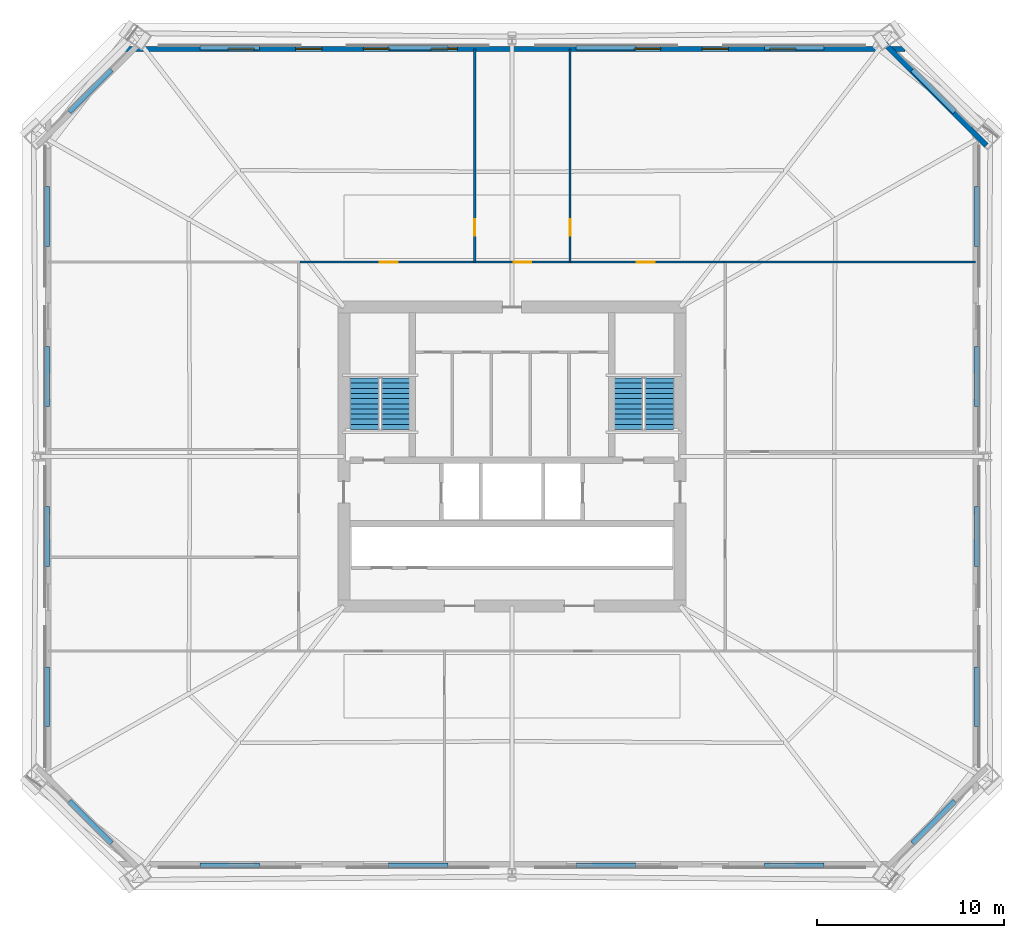
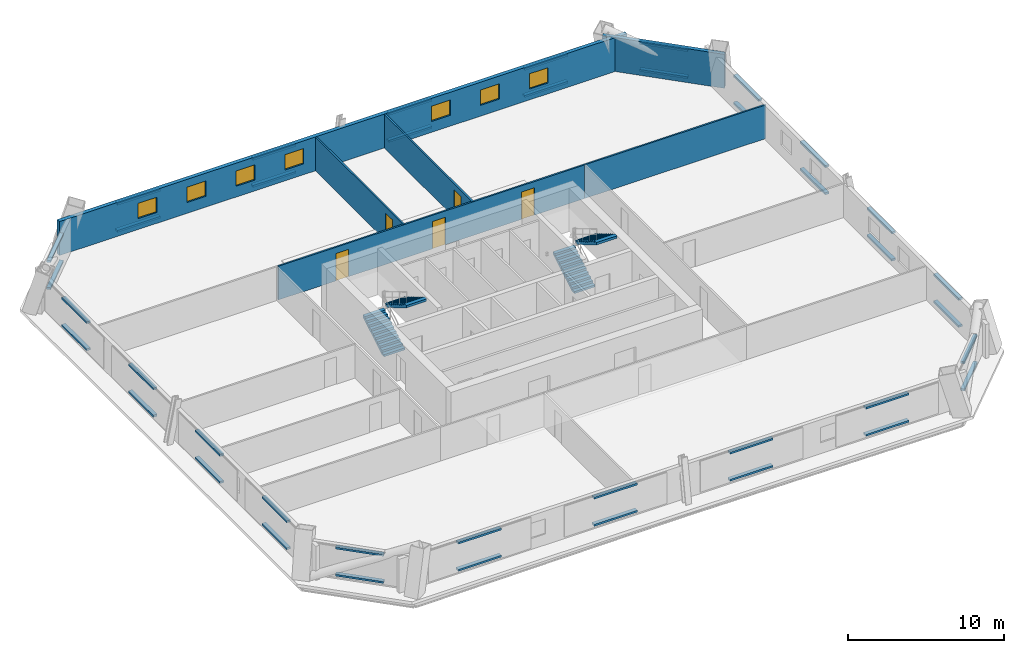
# One storey, part 7 of 10: 40 discrete accessories, 7 windows, 6 walls, 5 doors, 4 stair flights, 12 openings, 2 elements without a shape of their own.
"""IFC4 building model written with IfcOpenShell, lengths in metres."""

from ifc_helpers import new_model, si_unit, direction, frame, frame_2d, origin, origin_2d, place, context, subcontext, project, spatial, polyline, rectangle, outline, extrude, material, layer, layer_set, type_object, element, fill, aggregate, save


model = new_model("IFC4")

# Units and contexts
model_context = context("Model", 3, precision=1e-05, world=origin(), true_north=direction((0.0, 1.0)))
body_context = subcontext(model_context, "Body", "Model", "MODEL_VIEW")
ifc_project = project(units=[si_unit("LENGTHUNIT", "METRE"), si_unit("AREAUNIT", "SQUARE_METRE"), si_unit("VOLUMEUNIT", "CUBIC_METRE"), si_unit("PLANEANGLEUNIT", "RADIAN"), si_unit("MASSUNIT", "GRAM", prefix="KILO")], contexts=[model_context])

# Site, building, storey
site_placement = place(None, origin())
site = spatial("IfcSite", under=ifc_project, at=site_placement, CompositionType="ELEMENT")
building_placement = place(site_placement, origin())
building = spatial("IfcBuilding", under=site, at=building_placement, Name="Caelvoria Tower", CompositionType="ELEMENT")
storey_placement = place(building_placement, frame((0.0, 0.0, 78.39990234375)))
storey = spatial("IfcBuildingStorey", under=building, at=storey_placement, Name="L20", CompositionType="ELEMENT", Elevation=78.39990234375)

# Wall
ifc_material_1 = material(Name="Precast Concrete C40/50 with Bronze Cladding", Category="concrete")
ifc_layer_1 = layer(ifc_material_1, 0.280029296875, Name="Precast Concrete C40/50 with Bronze Cladding")
ifc_layer_set_1 = layer_set([ifc_layer_1], Name="Exterior Precast Concrete C40/50 Bronze-Clad Facade Wall 280 - Precast Concrete C40/50 with Bronze Cladding")
wall_type_1 = type_object("IfcWallType", Name="Exterior Precast Concrete C40/50 Bronze-Clad Facade Wall 280", PredefinedType="STANDARD", material=ifc_layer_set_1)
wall_1_placement = place(storey_placement, frame((71.393798828125, 48.654541015625, 0.0), z_axis=(0.0, 0.0, 1.0), x_axis=(-0.707106781187, 0.707106781187, 0.0)))
element("IfcWall", 1, at=wall_1_placement, inside=storey, type_object=wall_type_1, Name="Exterior Facade Wall L20-E3", PredefinedType="STANDARD", context=body_context, shape_type="SweptSolid", body=[
    extrude(rectangle(XDim=8.116455078125, YDim=0.280029296875, at=frame_2d((4.05810546875, 0.0))), origin(), (0.0, 0.0, 1.0), 2.662109375),
])

# Wall, openings, windows
wall_2_placement = place(storey_placement, frame((67.0400390625, 53.820068359375, 0.0), z_axis=(0.0, 0.0, 1.0), x_axis=(-1.0, 0.0, 0.0)))
wall_2 = element("IfcWall", 2, at=wall_2_placement, inside=storey, type_object=wall_type_1, Name="Exterior Facade Wall L20-E4", PredefinedType="STANDARD", context=body_context, shape_type="SweptSolid", body=[
    extrude(rectangle(XDim=42.080078125, YDim=0.280029296875, at=frame_2d((21.0400390625, 0.0))), origin(), (0.0, 0.0, 1.0), 2.662109375),
])
opening_1_placement = place(wall_2_placement, frame((5.838134765625, 0.0, 0.85009765625)))
opening_1 = element("IfcOpeningElement", 3, at=opening_1_placement, cuts=wall_2, Name="Opening WN-06", PredefinedType="OPENING", context=body_context, shape_type="SweptSolid", body=[
    extrude(rectangle(XDim=1.39990234375, YDim=1.199951171875, at=frame_2d((0.699951171875, 0.60009765625))), frame((0.0, 0.14990234375, 0.0), z_axis=(0.0, -1.0, 0.0), x_axis=(1.0, 0.0, 0.0)), (0.0, 0.0, 1.0), 0.300048828125),
])
opening_2_placement = place(wall_2_placement, frame((9.463623046875, 0.0, 0.85009765625)))
opening_2 = element("IfcOpeningElement", 4, at=opening_2_placement, cuts=wall_2, Name="Opening WN-06", PredefinedType="OPENING", context=body_context, shape_type="SweptSolid", body=[
    extrude(rectangle(XDim=1.39990234375, YDim=1.199951171875, at=frame_2d((0.699951171875, 0.60009765625))), frame((0.0, 0.14990234375, 0.0), z_axis=(0.0, -1.0, 0.0), x_axis=(1.0, 0.0, 0.0)), (0.0, 0.0, 1.0), 0.300048828125),
])
opening_3_placement = place(wall_2_placement, frame((13.089111328125, 0.0, 0.85009765625)))
opening_3 = element("IfcOpeningElement", 5, at=opening_3_placement, cuts=wall_2, Name="Opening WN-06", PredefinedType="OPENING", context=body_context, shape_type="SweptSolid", body=[
    extrude(rectangle(XDim=1.39990234375, YDim=1.199951171875, at=frame_2d((0.699951171875, 0.60009765625))), frame((0.0, 0.14990234375, 0.0), z_axis=(0.0, -1.0, 0.0), x_axis=(1.0, 0.0, 0.0)), (0.0, 0.0, 1.0), 0.300048828125),
])
opening_4_placement = place(wall_2_placement, frame((23.965576171875, 0.0, 0.85009765625)))
opening_4 = element("IfcOpeningElement", 6, at=opening_4_placement, cuts=wall_2, Name="Opening WN-06", PredefinedType="OPENING", context=body_context, shape_type="SweptSolid", body=[
    extrude(rectangle(XDim=1.39990234375, YDim=1.199951171875, at=frame_2d((0.699951171875, 0.60009765625))), frame((0.0, 0.14990234375, 0.0), z_axis=(0.0, -1.0, 0.0), x_axis=(1.0, 0.0, 0.0)), (0.0, 0.0, 1.0), 0.300048828125),
])
opening_5_placement = place(wall_2_placement, frame((27.5908203125, 0.0, 0.85009765625)))
opening_5 = element("IfcOpeningElement", 7, at=opening_5_placement, cuts=wall_2, Name="Opening WN-06", PredefinedType="OPENING", context=body_context, shape_type="SweptSolid", body=[
    extrude(rectangle(XDim=1.39990234375, YDim=1.199951171875, at=frame_2d((0.699951171875, 0.60009765625))), frame((0.0, 0.14990234375, 0.0), z_axis=(0.0, -1.0, 0.0), x_axis=(1.0, 0.0, 0.0)), (0.0, 0.0, 1.0), 0.300048828125),
])
opening_6_placement = place(wall_2_placement, frame((31.21630859375, 0.0, 0.85009765625)))
opening_6 = element("IfcOpeningElement", 8, at=opening_6_placement, cuts=wall_2, Name="Opening WN-06", PredefinedType="OPENING", context=body_context, shape_type="SweptSolid", body=[
    extrude(rectangle(XDim=1.39990234375, YDim=1.199951171875, at=frame_2d((0.699951171875, 0.60009765625))), frame((0.0, 0.14990234375, 0.0), z_axis=(0.0, -1.0, 0.0), x_axis=(1.0, 0.0, 0.0)), (0.0, 0.0, 1.0), 0.300048828125),
])
opening_7_placement = place(wall_2_placement, frame((34.841796875, 0.0, 0.85009765625)))
opening_7 = element("IfcOpeningElement", 9, at=opening_7_placement, cuts=wall_2, Name="Opening WN-06", PredefinedType="OPENING", context=body_context, shape_type="SweptSolid", body=[
    extrude(rectangle(XDim=1.39990234375, YDim=1.199951171875, at=frame_2d((0.699951171875, 0.60009765625))), frame((0.0, 0.14990234375, 0.0), z_axis=(0.0, -1.0, 0.0), x_axis=(1.0, 0.0, 0.0)), (0.0, 0.0, 1.0), 0.300048828125),
])
ifc_material_2 = material(Name="Low-E Tinted Glass in Bronze Aluminium Frame", Category="aluminium")
window_type = type_object("IfcWindowType", Name="Podium Clerestory Window 1400x1200", PartitioningType="SINGLE_PANEL", PredefinedType="WINDOW", material=ifc_material_2)
window_1_placement = place(opening_1_placement, origin())
window_1 = element("IfcWindow", 10, at=window_1_placement, inside=storey, type_object=window_type, Name="Facade Window L20-E4-01", OverallHeight=1.199951171875, OverallWidth=1.39990234375, PartitioningType="SINGLE_PANEL", PredefinedType="WINDOW", context=body_context, shape_type="SweptSolid", body=[
    extrude(rectangle(XDim=1.39990234375, YDim=1.199951171875, at=frame_2d((0.699951171875, 0.60009765625))), frame((0.0, 0.030029296875, 0.0), z_axis=(0.0, -1.0, 0.0), x_axis=(1.0, 0.0, 0.0)), (0.0, 0.0, 1.0), 0.06005859375),
])
fill(opening_1, window_1)
window_2_placement = place(opening_2_placement, origin())
window_2 = element("IfcWindow", 11, at=window_2_placement, inside=storey, type_object=window_type, Name="Facade Window L20-E4-02", OverallHeight=1.199951171875, OverallWidth=1.39990234375, PartitioningType="SINGLE_PANEL", PredefinedType="WINDOW", context=body_context, shape_type="SweptSolid", body=[
    extrude(rectangle(XDim=1.39990234375, YDim=1.199951171875, at=frame_2d((0.699951171875, 0.60009765625))), frame((0.0, 0.030029296875, 0.0), z_axis=(0.0, -1.0, 0.0), x_axis=(1.0, 0.0, 0.0)), (0.0, 0.0, 1.0), 0.06005859375),
])
fill(opening_2, window_2)
window_3_placement = place(opening_3_placement, origin())
window_3 = element("IfcWindow", 12, at=window_3_placement, inside=storey, type_object=window_type, Name="Facade Window L20-E4-03", OverallHeight=1.199951171875, OverallWidth=1.39990234375, PartitioningType="SINGLE_PANEL", PredefinedType="WINDOW", context=body_context, shape_type="SweptSolid", body=[
    extrude(rectangle(XDim=1.39990234375, YDim=1.199951171875, at=frame_2d((0.699951171875, 0.60009765625))), frame((0.0, 0.030029296875, 0.0), z_axis=(0.0, -1.0, 0.0), x_axis=(1.0, 0.0, 0.0)), (0.0, 0.0, 1.0), 0.06005859375),
])
fill(opening_3, window_3)
window_4_placement = place(opening_4_placement, origin())
window_4 = element("IfcWindow", 13, at=window_4_placement, inside=storey, type_object=window_type, Name="Facade Window L20-E4-06", OverallHeight=1.199951171875, OverallWidth=1.39990234375, PartitioningType="SINGLE_PANEL", PredefinedType="WINDOW", context=body_context, shape_type="SweptSolid", body=[
    extrude(rectangle(XDim=1.39990234375, YDim=1.199951171875, at=frame_2d((0.699951171875, 0.60009765625))), frame((0.0, 0.030029296875, 0.0), z_axis=(0.0, -1.0, 0.0), x_axis=(1.0, 0.0, 0.0)), (0.0, 0.0, 1.0), 0.06005859375),
])
fill(opening_4, window_4)
window_5_placement = place(opening_5_placement, origin())
window_5 = element("IfcWindow", 14, at=window_5_placement, inside=storey, type_object=window_type, Name="Facade Window L20-E4-07", OverallHeight=1.199951171875, OverallWidth=1.39990234375, PartitioningType="SINGLE_PANEL", PredefinedType="WINDOW", context=body_context, shape_type="SweptSolid", body=[
    extrude(rectangle(XDim=1.39990234375, YDim=1.199951171875, at=frame_2d((0.699951171875, 0.60009765625))), frame((0.0, 0.030029296875, 0.0), z_axis=(0.0, -1.0, 0.0), x_axis=(1.0, 0.0, 0.0)), (0.0, 0.0, 1.0), 0.06005859375),
])
fill(opening_5, window_5)
window_6_placement = place(opening_6_placement, origin())
window_6 = element("IfcWindow", 15, at=window_6_placement, inside=storey, type_object=window_type, Name="Facade Window L20-E4-08", OverallHeight=1.199951171875, OverallWidth=1.39990234375, PartitioningType="SINGLE_PANEL", PredefinedType="WINDOW", context=body_context, shape_type="SweptSolid", body=[
    extrude(rectangle(XDim=1.39990234375, YDim=1.199951171875, at=frame_2d((0.699951171875, 0.60009765625))), frame((0.0, 0.030029296875, 0.0), z_axis=(0.0, -1.0, 0.0), x_axis=(1.0, 0.0, 0.0)), (0.0, 0.0, 1.0), 0.06005859375),
])
fill(opening_6, window_6)
window_7_placement = place(opening_7_placement, origin())
window_7 = element("IfcWindow", 16, at=window_7_placement, inside=storey, type_object=window_type, Name="Facade Window L20-E4-09", OverallHeight=1.199951171875, OverallWidth=1.39990234375, PartitioningType="SINGLE_PANEL", PredefinedType="WINDOW", context=body_context, shape_type="SweptSolid", body=[
    extrude(rectangle(XDim=1.39990234375, YDim=1.199951171875, at=frame_2d((0.699951171875, 0.60009765625))), frame((0.0, 0.030029296875, 0.0), z_axis=(0.0, -1.0, 0.0), x_axis=(1.0, 0.0, 0.0)), (0.0, 0.0, 1.0), 0.06005859375),
])
fill(opening_7, window_7)

# Wall, opening, door
ifc_material_3 = material(Name="Acoustic Gypsum Board on Light-Gauge Stud", Category="gypsum")
ifc_layer_2 = layer(ifc_material_3, 0.1201171875, Name="Acoustic Gypsum Board on Light-Gauge Stud")
ifc_layer_set_2 = layer_set([ifc_layer_2], Name="Tenant Suite Acoustic Partition Wall 120 - Acoustic Gypsum Board on Light-Gauge Stud")
wall_type_2 = type_object("IfcWallType", Name="Tenant Suite Acoustic Partition Wall 120", PredefinedType="PARTITIONING", material=ifc_layer_set_2)
wall_3_placement = place(storey_placement, frame((44.004150390625, 42.409912109375, 0.0), z_axis=(0.0, 0.0, 1.0), x_axis=(0.0, 1.0, 0.0)))
wall_3 = element("IfcWall", 17, at=wall_3_placement, inside=storey, type_object=wall_type_2, Name="Interior Partition IW-L20-ND-00-0", PredefinedType="PARTITIONING", context=body_context, shape_type="SweptSolid", body=[
    extrude(rectangle(XDim=11.41015625, YDim=0.1201171875, at=frame_2d((5.705078125, 0.0))), origin(), (0.0, 0.0, 1.0), 2.64013671875),
])
opening_8_placement = place(wall_3_placement, frame((1.39990234375, 0.0, 0.0)))
opening_8 = element("IfcOpeningElement", 18, at=opening_8_placement, cuts=wall_3, Name="Opening ID-06", PredefinedType="OPENING", context=body_context, shape_type="SweptSolid", body=[
    extrude(rectangle(XDim=0.89990234375, YDim=2.14990234375, at=frame_2d((0.449951171875, 1.074951171875))), frame((0.0, 0.070068359375, 0.0), z_axis=(0.0, -1.0, 0.0), x_axis=(1.0, 0.0, 0.0)), (0.0, 0.0, 1.0), 0.14013671875),
])
ifc_material_4 = material(Name="Engineered Andean Oak Veneer Door", Category="wood")
door_type_1 = type_object("IfcDoorType", Name="Interior Timber Door 900x2150", OperationType="NOTDEFINED", PredefinedType="DOOR", material=ifc_material_4)
door_1_placement = place(opening_8_placement, origin())
door_1 = element("IfcDoor", 19, at=door_1_placement, inside=storey, type_object=door_type_1, Name="Interior Door DR-L20-NM-00-0", OperationType="SINGLE_SWING_RIGHT", OverallHeight=2.14990234375, OverallWidth=0.89990234375, PredefinedType="DOOR", context=body_context, shape_type="SweptSolid", body=[
    extrude(rectangle(XDim=0.89990234375, YDim=2.14990234375, at=frame_2d((0.449951171875, 1.074951171875))), frame((0.0, 0.02490234375, 0.0), z_axis=(0.0, -1.0, 0.0), x_axis=(1.0, 0.0, 0.0)), (0.0, 0.0, 1.0), 0.050048828125),
])
fill(opening_8, door_1)

wall_4_placement = place(storey_placement, frame((49.109619140625, 42.409912109375, 0.0), z_axis=(0.0, 0.0, 1.0), x_axis=(0.0, 1.0, 0.0)))
wall_4 = element("IfcWall", 20, at=wall_4_placement, inside=storey, type_object=wall_type_2, Name="Interior Partition IW-L20-ND-01-0", PredefinedType="PARTITIONING", context=body_context, shape_type="SweptSolid", body=[
    extrude(rectangle(XDim=11.41015625, YDim=0.1201171875, at=frame_2d((5.705078125, 0.0))), origin(), (0.0, 0.0, 1.0), 2.64013671875),
])
opening_9_placement = place(wall_4_placement, frame((1.39990234375, 0.0, 0.0)))
opening_9 = element("IfcOpeningElement", 21, at=opening_9_placement, cuts=wall_4, Name="Opening ID-06", PredefinedType="OPENING", context=body_context, shape_type="SweptSolid", body=[
    extrude(rectangle(XDim=0.89990234375, YDim=2.14990234375, at=frame_2d((0.449951171875, 1.074951171875))), frame((0.0, 0.070068359375, 0.0), z_axis=(0.0, -1.0, 0.0), x_axis=(1.0, 0.0, 0.0)), (0.0, 0.0, 1.0), 0.14013671875),
])
door_2_placement = place(opening_9_placement, origin())
door_2 = element("IfcDoor", 22, at=door_2_placement, inside=storey, type_object=door_type_1, Name="Interior Door DR-L20-NM-01-0", OperationType="SINGLE_SWING_LEFT", OverallHeight=2.14990234375, OverallWidth=0.89990234375, PredefinedType="DOOR", context=body_context, shape_type="SweptSolid", body=[
    extrude(rectangle(XDim=0.89990234375, YDim=2.14990234375, at=frame_2d((0.449951171875, 1.074951171875))), frame((0.0, 0.02490234375, 0.0), z_axis=(0.0, -1.0, 0.0), x_axis=(1.0, 0.0, 0.0)), (0.0, 0.0, 1.0), 0.050048828125),
])
fill(opening_9, door_2)

# Wall, openings, doors
wall_5_placement = place(storey_placement, frame((34.64990234375, 42.409912109375, 0.0), z_axis=(0.0, 0.0, 1.0), x_axis=(1.0, 0.0, 0.0)))
wall_5 = element("IfcWall", 23, at=wall_5_placement, inside=storey, type_object=wall_type_2, Name="Interior Partition IW-L20-NCW-0", PredefinedType="PARTITIONING", context=body_context, shape_type="SweptSolid", body=[
    extrude(rectangle(XDim=22.7001953125, YDim=0.1201171875, at=frame_2d((11.35009765625, 0.0))), origin(), (0.0, 0.0, 1.0), 2.64013671875),
])
opening_10_placement = place(wall_5_placement, frame((4.27197265625, 0.0, 0.0)))
opening_10 = element("IfcOpeningElement", 24, at=opening_10_placement, cuts=wall_5, Name="Opening ID-05", PredefinedType="OPENING", context=body_context, shape_type="SweptSolid", body=[
    extrude(rectangle(XDim=0.949951171875, YDim=2.14990234375, at=frame_2d((0.47509765625, 1.074951171875))), frame((0.0, 0.070068359375, 0.0), z_axis=(0.0, -1.0, 0.0), x_axis=(1.0, 0.0, 0.0)), (0.0, 0.0, 1.0), 0.14013671875),
])
opening_11_placement = place(wall_5_placement, frame((11.431884765625, 0.0, 0.0)))
opening_11 = element("IfcOpeningElement", 25, at=opening_11_placement, cuts=wall_5, Name="Opening ID-05", PredefinedType="OPENING", context=body_context, shape_type="SweptSolid", body=[
    extrude(rectangle(XDim=0.949951171875, YDim=2.14990234375, at=frame_2d((0.47509765625, 1.074951171875))), frame((0.0, 0.070068359375, 0.0), z_axis=(0.0, -1.0, 0.0), x_axis=(1.0, 0.0, 0.0)), (0.0, 0.0, 1.0), 0.14013671875),
])
opening_12_placement = place(wall_5_placement, frame((18.034912109375, 0.0, 0.0)))
opening_12 = element("IfcOpeningElement", 26, at=opening_12_placement, cuts=wall_5, Name="Opening ID-05", PredefinedType="OPENING", context=body_context, shape_type="SweptSolid", body=[
    extrude(rectangle(XDim=0.949951171875, YDim=2.14990234375, at=frame_2d((0.47509765625, 1.074951171875))), frame((0.0, 0.070068359375, 0.0), z_axis=(0.0, -1.0, 0.0), x_axis=(1.0, 0.0, 0.0)), (0.0, 0.0, 1.0), 0.14013671875),
])
door_type_2 = type_object("IfcDoorType", Name="Interior Timber Door 950x2150", OperationType="NOTDEFINED", PredefinedType="DOOR", material=ifc_material_4)
door_3_placement = place(opening_10_placement, origin())
door_3 = element("IfcDoor", 27, at=door_3_placement, inside=storey, type_object=door_type_2, Name="Interior Door DR-L20-NC-00-0", OperationType="SINGLE_SWING_LEFT", OverallHeight=2.14990234375, OverallWidth=0.949951171875, PredefinedType="DOOR", context=body_context, shape_type="SweptSolid", body=[
    extrude(rectangle(XDim=0.949951171875, YDim=2.14990234375, at=frame_2d((0.47509765625, 1.074951171875))), frame((0.0, 0.02490234375, 0.0), z_axis=(0.0, -1.0, 0.0), x_axis=(1.0, 0.0, 0.0)), (0.0, 0.0, 1.0), 0.050048828125),
])
fill(opening_10, door_3)
door_4_placement = place(opening_11_placement, origin())
door_4 = element("IfcDoor", 28, at=door_4_placement, inside=storey, type_object=door_type_2, Name="Interior Door DR-L20-NC-01-0", OperationType="SINGLE_SWING_RIGHT", OverallHeight=2.14990234375, OverallWidth=0.949951171875, PredefinedType="DOOR", context=body_context, shape_type="SweptSolid", body=[
    extrude(rectangle(XDim=0.949951171875, YDim=2.14990234375, at=frame_2d((0.47509765625, 1.074951171875))), frame((0.0, 0.02490234375, 0.0), z_axis=(0.0, -1.0, 0.0), x_axis=(1.0, 0.0, 0.0)), (0.0, 0.0, 1.0), 0.050048828125),
])
fill(opening_11, door_4)
door_5_placement = place(opening_12_placement, origin())
door_5 = element("IfcDoor", 29, at=door_5_placement, inside=storey, type_object=door_type_2, Name="Interior Door DR-L20-NC-02-0", OperationType="SINGLE_SWING_LEFT", OverallHeight=2.14990234375, OverallWidth=0.949951171875, PredefinedType="DOOR", context=body_context, shape_type="SweptSolid", body=[
    extrude(rectangle(XDim=0.949951171875, YDim=2.14990234375, at=frame_2d((0.47509765625, 1.074951171875))), frame((0.0, 0.02490234375, 0.0), z_axis=(0.0, -1.0, 0.0), x_axis=(1.0, 0.0, 0.0)), (0.0, 0.0, 1.0), 0.050048828125),
])
fill(opening_12, door_5)

# Wall
wall_6_placement = place(storey_placement, frame((57.35009765625, 42.409912109375, 0.0), z_axis=(0.0, 0.0, 1.0), x_axis=(1.0, 0.0, 0.0)))
element("IfcWall", 30, at=wall_6_placement, inside=storey, type_object=wall_type_2, Name="Interior Partition IW-L20-BNE-0", PredefinedType="PARTITIONING", context=body_context, shape_type="SweptSolid", body=[
    extrude(rectangle(XDim=13.469970703125, YDim=0.1201171875, at=frame_2d((6.73486328125, 0.0))), origin(), (0.0, 0.0, 1.0), 2.64013671875),
])

# Stair, stair flights
ifc_material_5 = material(Name="Concrete C40/50", Category="concrete")
stair_type = type_object("IfcStairType", Name="Core Smokeproof Dogleg Stair Concrete C40/50", PredefinedType="HALF_TURN_STAIR", material=ifc_material_5)
stair_1_placement = place(storey_placement, origin())
stair_1 = element("IfcStair", 31, at=stair_1_placement, inside=storey, type_object=stair_type, Name="ST-01 Smokeproof Exit Stair L20", PredefinedType="HALF_TURN_STAIR")
ifc_material_6 = material(Name="Precast Concrete C40/50", Category="concrete")
stair_flight_type = type_object("IfcStairFlightType", Name="Precast Concrete C40/50 Stair Flight 1480", PredefinedType="STRAIGHT", material=ifc_material_6)
stair_flight_1_placement = place(storey_placement, frame((38.1298828125, 33.449951171875, 0.0), z_axis=(0.0, 0.0, 1.0), x_axis=(0.0, 1.0, 0.0)))
stair_flight_1 = element("IfcStairFlight", 32, at=stair_flight_1_placement, type_object=stair_flight_type, Name="ST-01 flight 1", NumberOfRisers=11, NumberOfTreads=10, PredefinedType="STRAIGHT", RiserHeight=0.1636, TreadLength=0.275, context=body_context, shape_type="SweptSolid", body=[
    extrude(outline(polyline([(0.0, 0.0), (0.0, 0.16357421875), (0.27490234375, 0.16357421875), (0.27490234375, 0.3271484375), (0.550048828125, 0.3271484375), (0.550048828125, 0.49072265625), (0.824951171875, 0.49072265625), (0.824951171875, 0.654296875), (1.10009765625, 0.654296875), (1.10009765625, 0.818115234375), (1.375, 0.818115234375), (1.375, 0.981689453125), (1.64990234375, 0.981689453125), (1.64990234375, 1.145263671875), (1.925048828125, 1.145263671875), (1.925048828125, 1.308837890625), (2.199951171875, 1.308837890625), (2.199951171875, 1.472412109375), (2.47509765625, 1.472412109375), (2.47509765625, 1.635986328125), (2.75, 1.635986328125), (2.75, 1.799560546875), (2.75, 1.449951171875), (0.312744140625, 0.0), (0.0, 0.0)])), frame((0.0, 0.77001953125, 0.0), z_axis=(0.0, -1.0, 0.0), x_axis=(1.0, 0.0, 0.0)), (0.0, 0.0, 1.0), 1.5400390625),
])
stair_flight_2_placement = place(storey_placement, frame((39.77001953125, 36.199951171875, 1.800048828125), z_axis=(0.0, 0.0, 1.0), x_axis=(0.0, -1.0, 0.0)))
stair_flight_2 = element("IfcStairFlight", 33, at=stair_flight_2_placement, type_object=stair_flight_type, Name="ST-01 flight 2", NumberOfRisers=11, NumberOfTreads=10, PredefinedType="STRAIGHT", RiserHeight=0.1636, TreadLength=0.275, context=body_context, shape_type="SweptSolid", body=[
    extrude(outline(polyline([(0.0, 0.0), (0.0, 0.16357421875), (0.27490234375, 0.16357421875), (0.27490234375, 0.3271484375), (0.550048828125, 0.3271484375), (0.550048828125, 0.49072265625), (0.824951171875, 0.49072265625), (0.824951171875, 0.654296875), (1.10009765625, 0.654296875), (1.10009765625, 0.818115234375), (1.375, 0.818115234375), (1.375, 0.981689453125), (1.64990234375, 0.981689453125), (1.64990234375, 1.145263671875), (1.925048828125, 1.145263671875), (1.925048828125, 1.308837890625), (2.199951171875, 1.308837890625), (2.199951171875, 1.472412109375), (2.47509765625, 1.472412109375), (2.47509765625, 1.635986328125), (2.75, 1.635986328125), (2.75, 1.799560546875), (2.75, 1.449951171875), (0.312744140625, 0.0), (0.0, 0.0)])), frame((0.0, 0.77001953125, 0.0), z_axis=(0.0, -1.0, 0.0), x_axis=(1.0, 0.0, 0.0)), (0.0, 0.0, 1.0), 1.5400390625),
])
aggregate(stair_1, [stair_flight_1, stair_flight_2])

stair_2_placement = place(storey_placement, origin())
stair_2 = element("IfcStair", 34, at=stair_2_placement, inside=storey, type_object=stair_type, Name="ST-02 Smokeproof Exit Stair L20", PredefinedType="HALF_TURN_STAIR")
stair_flight_3_placement = place(storey_placement, frame((52.22998046875, 33.449951171875, 0.0), z_axis=(0.0, 0.0, 1.0), x_axis=(0.0, 1.0, 0.0)))
stair_flight_3 = element("IfcStairFlight", 35, at=stair_flight_3_placement, type_object=stair_flight_type, Name="ST-02 flight 1", NumberOfRisers=11, NumberOfTreads=10, PredefinedType="STRAIGHT", RiserHeight=0.1636, TreadLength=0.275, context=body_context, shape_type="SweptSolid", body=[
    extrude(outline(polyline([(0.0, 0.0), (0.0, 0.16357421875), (0.27490234375, 0.16357421875), (0.27490234375, 0.3271484375), (0.550048828125, 0.3271484375), (0.550048828125, 0.49072265625), (0.824951171875, 0.49072265625), (0.824951171875, 0.654296875), (1.10009765625, 0.654296875), (1.10009765625, 0.818115234375), (1.375, 0.818115234375), (1.375, 0.981689453125), (1.64990234375, 0.981689453125), (1.64990234375, 1.145263671875), (1.925048828125, 1.145263671875), (1.925048828125, 1.308837890625), (2.199951171875, 1.308837890625), (2.199951171875, 1.472412109375), (2.47509765625, 1.472412109375), (2.47509765625, 1.635986328125), (2.75, 1.635986328125), (2.75, 1.799560546875), (2.75, 1.449951171875), (0.312744140625, 0.0), (0.0, 0.0)])), frame((0.0, 0.77001953125, 0.0), z_axis=(0.0, -1.0, 0.0), x_axis=(1.0, 0.0, 0.0)), (0.0, 0.0, 1.0), 1.5400390625),
])
stair_flight_4_placement = place(storey_placement, frame((53.8701171875, 36.199951171875, 1.800048828125), z_axis=(0.0, 0.0, 1.0), x_axis=(0.0, -1.0, 0.0)))
stair_flight_4 = element("IfcStairFlight", 36, at=stair_flight_4_placement, type_object=stair_flight_type, Name="ST-02 flight 2", NumberOfRisers=11, NumberOfTreads=10, PredefinedType="STRAIGHT", RiserHeight=0.1636, TreadLength=0.275, context=body_context, shape_type="SweptSolid", body=[
    extrude(outline(polyline([(0.0, 0.0), (0.0, 0.16357421875), (0.27490234375, 0.16357421875), (0.27490234375, 0.3271484375), (0.550048828125, 0.3271484375), (0.550048828125, 0.49072265625), (0.824951171875, 0.49072265625), (0.824951171875, 0.654296875), (1.10009765625, 0.654296875), (1.10009765625, 0.818115234375), (1.375, 0.818115234375), (1.375, 0.981689453125), (1.64990234375, 0.981689453125), (1.64990234375, 1.145263671875), (1.925048828125, 1.145263671875), (1.925048828125, 1.308837890625), (2.199951171875, 1.308837890625), (2.199951171875, 1.472412109375), (2.47509765625, 1.472412109375), (2.47509765625, 1.635986328125), (2.75, 1.635986328125), (2.75, 1.799560546875), (2.75, 1.449951171875), (0.312744140625, 0.0), (0.0, 0.0)])), frame((0.0, 0.77001953125, 0.0), z_axis=(0.0, -1.0, 0.0), x_axis=(1.0, 0.0, 0.0)), (0.0, 0.0, 1.0), 1.5400390625),
])
aggregate(stair_2, [stair_flight_3, stair_flight_4])

# Discrete accessories
ifc_material_7 = material(Name="Anodised Bronze Stainless Bracket", Category="bronze")
discrete_accessory_type = type_object("IfcDiscreteAccessoryType", Name="Solar Screen Outrigger Support Bracket", PredefinedType="BRACKET", material=ifc_material_7)
for number, where, z_axis, x_axis, name in (
    (37, (30.89501953125, 10.10302734375, 0.240234375), (0.0, 0.0, 1.0), (1.0, 0.0, 0.0), "Solar Screen Bracket L20-E0-00"),
    (38, (30.89501953125, 10.10302734375, 2.3623046875), (0.0, 0.0, 1.0), (1.0, 0.0, 0.0), "Upper Screen Band Bracket L20-E0-00"),
    (39, (40.965087890625, 10.10302734375, 0.240234375), (0.0, 0.0, 1.0), (1.0, 0.0, 0.0), "Solar Screen Bracket L20-E0-01"),
    (40, (40.965087890625, 10.10302734375, 2.3623046875), (0.0, 0.0, 1.0), (1.0, 0.0, 0.0), "Upper Screen Band Bracket L20-E0-01"),
    (41, (51.034912109375, 10.10302734375, 0.240234375), (0.0, 0.0, 1.0), (1.0, 0.0, 0.0), "Solar Screen Bracket L20-E0-02"),
    (42, (51.034912109375, 10.10302734375, 2.3623046875), (0.0, 0.0, 1.0), (1.0, 0.0, 0.0), "Upper Screen Band Bracket L20-E0-02"),
    (43, (61.10498046875, 10.10302734375, 0.240234375), (0.0, 0.0, 1.0), (1.0, 0.0, 0.0), "Solar Screen Bracket L20-E0-03"),
    (44, (61.10498046875, 10.10302734375, 2.3623046875), (0.0, 0.0, 1.0), (1.0, 0.0, 0.0), "Upper Screen Band Bracket L20-E0-03"),
    (45, (68.57861328125, 12.42138671875, 0.240234375), (0.0, 0.0, 1.0), (0.707106781187, 0.707106781187, 0.0), "Solar Screen Bracket L20-E1-00"),
    (46, (68.57861328125, 12.42138671875, 2.3623046875), (0.0, 0.0, 1.0), (0.707106781187, 0.707106781187, 0.0), "Upper Screen Band Bracket L20-E1-00"),
    (47, (70.89697265625, 19.14501953125, 0.240234375), (0.0, 0.0, 1.0), (0.0, 1.0, 0.0), "Solar Screen Bracket L20-E2-00"),
    (48, (70.89697265625, 19.14501953125, 2.3623046875), (0.0, 0.0, 1.0), (0.0, 1.0, 0.0), "Upper Screen Band Bracket L20-E2-00"),
    (49, (70.89697265625, 27.715087890625, 0.240234375), (0.0, 0.0, 1.0), (0.0, 1.0, 0.0), "Solar Screen Bracket L20-E2-01"),
    (50, (70.89697265625, 27.715087890625, 2.3623046875), (0.0, 0.0, 1.0), (0.0, 1.0, 0.0), "Upper Screen Band Bracket L20-E2-01"),
    (51, (70.89697265625, 36.284912109375, 0.240234375), (0.0, 0.0, 1.0), (0.0, 1.0, 0.0), "Solar Screen Bracket L20-E2-02"),
    (52, (70.89697265625, 36.284912109375, 2.3623046875), (0.0, 0.0, 1.0), (0.0, 1.0, 0.0), "Upper Screen Band Bracket L20-E2-02"),
    (53, (70.89697265625, 44.85498046875, 0.240234375), (0.0, 0.0, 1.0), (0.0, 1.0, 0.0), "Solar Screen Bracket L20-E2-03"),
    (54, (70.89697265625, 44.85498046875, 2.3623046875), (0.0, 0.0, 1.0), (0.0, 1.0, 0.0), "Upper Screen Band Bracket L20-E2-03"),
    (55, (68.57861328125, 51.57861328125, 0.240234375), (0.0, 0.0, 1.0), (-0.707106781187, 0.707106781187, 0.0), "Solar Screen Bracket L20-E3-00"),
    (56, (68.57861328125, 51.57861328125, 2.3623046875), (0.0, 0.0, 1.0), (-0.707106781187, 0.707106781187, 0.0), "Upper Screen Band Bracket L20-E3-00"),
    (57, (61.10498046875, 53.89697265625, 0.240234375), (0.0, 0.0, 1.0), (-1.0, 0.0, 0.0), "Solar Screen Bracket L20-E4-00"),
    (58, (61.10498046875, 53.89697265625, 2.3623046875), (0.0, 0.0, 1.0), (-1.0, 0.0, 0.0), "Upper Screen Band Bracket L20-E4-00"),
    (59, (51.034912109375, 53.89697265625, 0.240234375), (0.0, 0.0, 1.0), (-1.0, 0.0, 0.0), "Solar Screen Bracket L20-E4-01"),
    (60, (51.034912109375, 53.89697265625, 2.3623046875), (0.0, 0.0, 1.0), (-1.0, 0.0, 0.0), "Upper Screen Band Bracket L20-E4-01"),
    (61, (40.965087890625, 53.89697265625, 0.240234375), (0.0, 0.0, 1.0), (-1.0, 0.0, 0.0), "Solar Screen Bracket L20-E4-02"),
    (62, (40.965087890625, 53.89697265625, 2.3623046875), (0.0, 0.0, 1.0), (-1.0, 0.0, 0.0), "Upper Screen Band Bracket L20-E4-02"),
    (63, (30.89501953125, 53.89697265625, 0.240234375), (0.0, 0.0, 1.0), (-1.0, 0.0, 0.0), "Solar Screen Bracket L20-E4-03"),
    (64, (30.89501953125, 53.89697265625, 2.3623046875), (0.0, 0.0, 1.0), (-1.0, 0.0, 0.0), "Upper Screen Band Bracket L20-E4-03"),
    (65, (23.42138671875, 51.57861328125, 0.240234375), (0.0, 0.0, 1.0), (-0.707106781187, -0.707106781187, 0.0), "Solar Screen Bracket L20-E5-00"),
    (66, (23.42138671875, 51.57861328125, 2.3623046875), (0.0, 0.0, 1.0), (-0.707106781187, -0.707106781187, 0.0), "Upper Screen Band Bracket L20-E5-00"),
    (67, (21.10302734375, 44.85498046875, 0.240234375), (0.0, 0.0, 1.0), (0.0, -1.0, 0.0), "Solar Screen Bracket L20-E6-00"),
    (68, (21.10302734375, 44.85498046875, 2.3623046875), (0.0, 0.0, 1.0), (0.0, -1.0, 0.0), "Upper Screen Band Bracket L20-E6-00"),
    (69, (21.10302734375, 36.284912109375, 0.240234375), (0.0, 0.0, 1.0), (0.0, -1.0, 0.0), "Solar Screen Bracket L20-E6-01"),
    (70, (21.10302734375, 36.284912109375, 2.3623046875), (0.0, 0.0, 1.0), (0.0, -1.0, 0.0), "Upper Screen Band Bracket L20-E6-01"),
    (71, (21.10302734375, 27.715087890625, 0.240234375), (0.0, 0.0, 1.0), (0.0, -1.0, 0.0), "Solar Screen Bracket L20-E6-02"),
    (72, (21.10302734375, 27.715087890625, 2.3623046875), (0.0, 0.0, 1.0), (0.0, -1.0, 0.0), "Upper Screen Band Bracket L20-E6-02"),
    (73, (21.10302734375, 19.14501953125, 0.240234375), (0.0, 0.0, 1.0), (0.0, -1.0, 0.0), "Solar Screen Bracket L20-E6-03"),
    (74, (21.10302734375, 19.14501953125, 2.3623046875), (0.0, 0.0, 1.0), (0.0, -1.0, 0.0), "Upper Screen Band Bracket L20-E6-03"),
    (75, (23.42138671875, 12.42138671875, 0.240234375), (0.0, 0.0, 1.0), (0.707106781187, -0.707106781187, 0.0), "Solar Screen Bracket L20-E7-00"),
    (76, (23.42138671875, 12.42138671875, 2.3623046875), (0.0, 0.0, 1.0), (0.707106781187, -0.707106781187, 0.0), "Upper Screen Band Bracket L20-E7-00"),
):
    element("IfcDiscreteAccessory", number, at=place(storey_placement, frame(where, z_axis=z_axis, x_axis=x_axis)), inside=storey, type_object=discrete_accessory_type, Name=name, PredefinedType="BRACKET", context=body_context, shape_type="SweptSolid", body=[
        extrude(rectangle(XDim=3.199951171875, YDim=0.280029296875, at=origin_2d()), origin(), (0.0, 0.0, 1.0), 0.159912109375),
    ])

save(model, "model.ifc")
